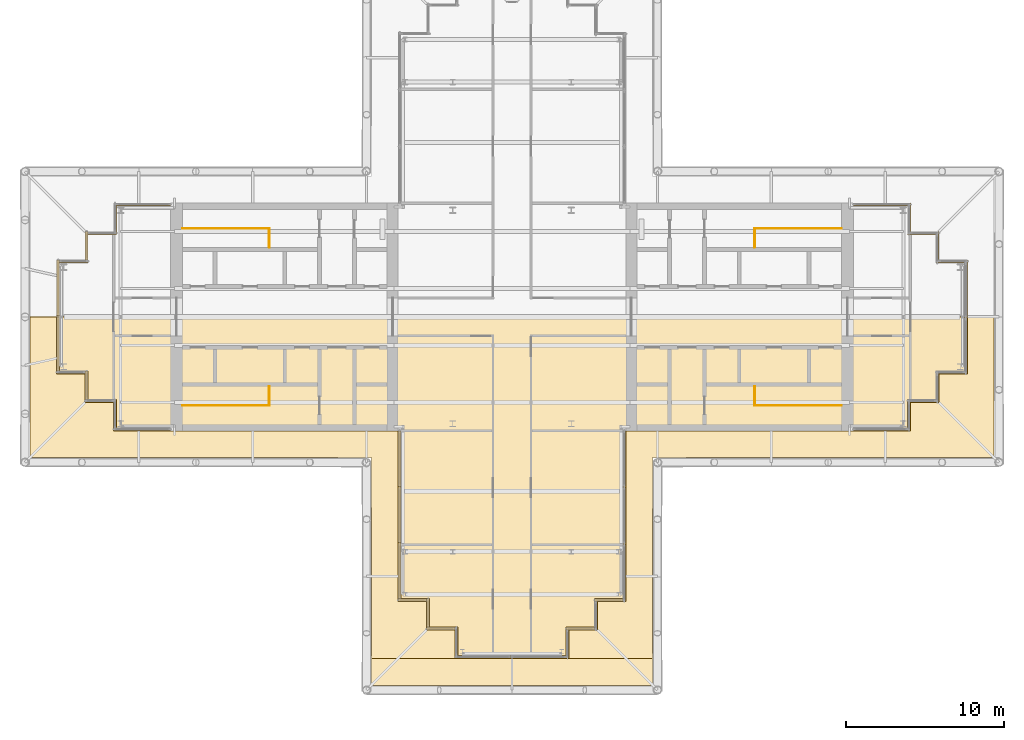
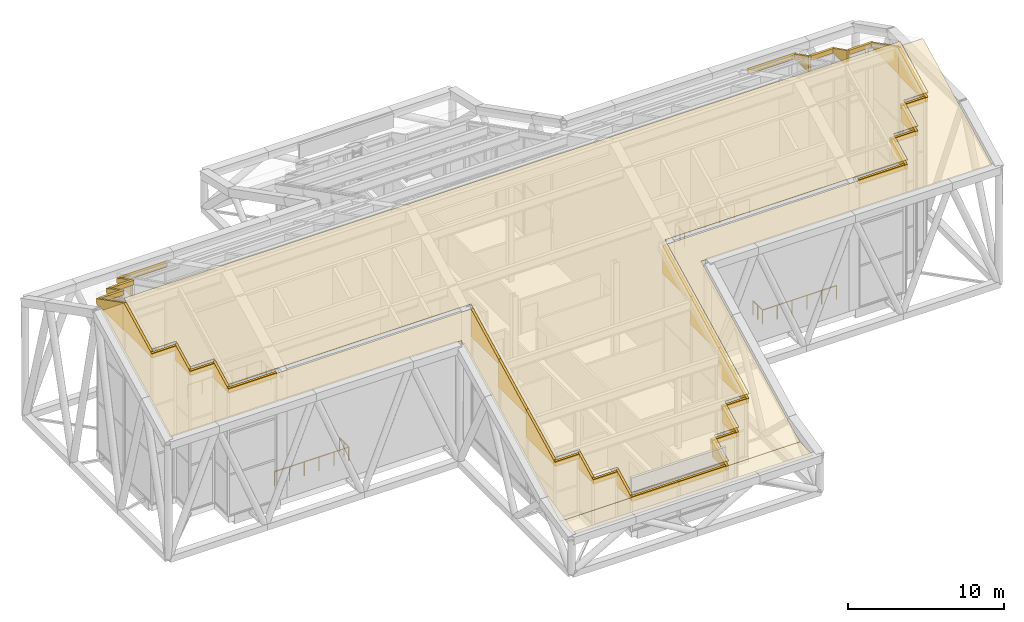
# One storey, part 24 of 25: 44 coverings, 4 railings.
"""IFC4 building model written with IfcOpenShell, lengths in metres."""

from ifc_helpers import new_model, si_unit, direction, frame, frame_2d, origin, origin_2d, place, context, subcontext, project, spatial, polyline, rectangle, circle, outline, extrude, material, layer, layer_set, type_object, element, save


model = new_model("IFC4")

# Units and contexts
model_context = context("Model", 3, precision=1e-05, world=origin(), true_north=direction((0.0, 1.0)))
body_context = subcontext(model_context, "Body", "Model", "MODEL_VIEW")
ifc_project = project(units=[si_unit("LENGTHUNIT", "METRE"), si_unit("AREAUNIT", "SQUARE_METRE"), si_unit("VOLUMEUNIT", "CUBIC_METRE"), si_unit("PLANEANGLEUNIT", "RADIAN"), si_unit("MASSUNIT", "GRAM", prefix="KILO")], contexts=[model_context])

# Site, building, storey
site_placement = place(None, origin())
site = spatial("IfcSite", under=ifc_project, at=site_placement, CompositionType="ELEMENT")
building_placement = place(site_placement, origin())
building = spatial("IfcBuilding", under=site, at=building_placement, Name="Fustian Cross Tower", CompositionType="ELEMENT")
storey_placement = place(building_placement, frame((0.0, 0.0, 247.5)))
storey = spatial("IfcBuildingStorey", under=building, at=storey_placement, Name="L77", CompositionType="ELEMENT", Elevation=247.5)

# Coverings
ifc_material_1 = material(Name="Dark metal cladding on steel framing", Category="steel")
ifc_layer_1 = layer(ifc_material_1, 0.179931640625)
ifc_layer_set_1 = layer_set([ifc_layer_1], Name="Dark metal cladding on steel framing")
covering_type_1 = type_object("IfcCoveringType", Name="CROWN CLADDING PANEL 180", PredefinedType="CLADDING", material=ifc_layer_set_1)
covering_1_placement = place(storey_placement, frame((21.60009765625, -7.110107421875, 9.729248046875), z_axis=(0.0, 0.0, 1.0), x_axis=(1.0, 0.0, 0.0)))
element("IfcCovering", 1, at=covering_1_placement, inside=storey, type_object=covering_type_1, Name="Crown cladding 1", PredefinedType="CLADDING", context=body_context, shape_type="SweptSolid", body=[
    extrude(rectangle(XDim=3.419921875, YDim=0.179931640625, at=frame_2d((1.7099609375, 0.0))), origin(), (0.0, 0.0, 1.0), 0.349853515625),
])
covering_2_placement = place(storey_placement, frame((25.110107421875, -7.199951171875, 9.683349609375), z_axis=(0.0, 0.0, 1.0), x_axis=(0.0, 1.0, 0.0)))
element("IfcCovering", 2, at=covering_2_placement, inside=storey, type_object=covering_type_1, Name="Crown cladding 2", PredefinedType="CLADDING", context=body_context, shape_type="SweptSolid", body=[
    extrude(outline(polyline([(0.0, 0.0), (1.800048828125, 0.0), (1.800048828125, 1.2666015625), (0.0, 0.35009765625), (0.0, 0.0)])), frame((0.0, 0.08984375, 0.0), z_axis=(0.0, -1.0, 0.0), x_axis=(1.0, 0.0, 0.0)), (0.0, 0.0, 1.0), 0.179931640625),
])
covering_3_placement = place(storey_placement, frame((25.02001953125, -5.31005859375, 10.645751953125), z_axis=(0.0, 0.0, 1.0), x_axis=(1.0, 0.0, 0.0)))
element("IfcCovering", 3, at=covering_3_placement, inside=storey, type_object=covering_type_1, Name="Crown cladding 3", PredefinedType="CLADDING", context=body_context, shape_type="SweptSolid", body=[
    extrude(rectangle(XDim=1.800048828125, YDim=0.179931640625, at=frame_2d((0.89990234375, 0.0))), origin(), (0.0, 0.0, 1.0), 0.35009765625),
])
covering_4_placement = place(storey_placement, frame((26.909912109375, -5.39990234375, 10.60009765625), z_axis=(0.0, 0.0, 1.0), x_axis=(0.0, 1.0, 0.0)))
element("IfcCovering", 4, at=covering_4_placement, inside=storey, type_object=covering_type_1, Name="Crown cladding 4", PredefinedType="CLADDING", context=body_context, shape_type="SweptSolid", body=[
    extrude(outline(polyline([(0.0, 0.0), (1.7998046875, 0.0), (1.800048828125, 1.2666015625), (0.0, 0.349853515625), (0.0, 0.0)])), frame((0.0, 0.08984375, 0.0), z_axis=(0.0, -1.0, 0.0), x_axis=(1.0, 0.0, 0.0)), (0.0, 0.0, 1.0), 0.179931640625),
])
covering_5_placement = place(storey_placement, frame((26.820068359375, -3.510009765625, 11.5625), z_axis=(0.0, 0.0, 1.0), x_axis=(1.0, 0.0, 0.0)))
element("IfcCovering", 5, at=covering_5_placement, inside=storey, type_object=covering_type_1, Name="Crown cladding 5", PredefinedType="CLADDING", context=body_context, shape_type="SweptSolid", body=[
    extrude(rectangle(XDim=1.800048828125, YDim=0.179931640625, at=frame_2d((0.89990234375, 0.0))), origin(), (0.0, 0.0, 1.0), 0.35009765625),
])
covering_6_placement = place(storey_placement, frame((28.7099609375, -3.60009765625, 11.5166015625), z_axis=(0.0, 0.0, 1.0), x_axis=(0.0, 1.0, 0.0)))
element("IfcCovering", 6, at=covering_6_placement, inside=storey, type_object=covering_type_1, Name="Crown cladding 6", PredefinedType="CLADDING", context=body_context, shape_type="SweptSolid", body=[
    extrude(outline(polyline([(0.0, 0.0), (3.510009765625, 0.0), (3.510009765625, 2.137451171875), (0.0, 0.35009765625), (0.0, 0.0)])), frame((0.0, 0.08984375, 0.0), z_axis=(0.0, -1.0, 0.0), x_axis=(1.0, 0.0, 0.0)), (0.0, 0.0, 1.0), 0.179931640625),
])
covering_7_placement = place(storey_placement, frame((28.7099609375, -0.090087890625, 11.6083984375), z_axis=(0.0, 0.0, 1.0), x_axis=(0.0, 1.0, 0.0)))
element("IfcCovering", 7, at=covering_7_placement, inside=storey, type_object=covering_type_1, Name="Crown cladding 7", PredefinedType="CLADDING", context=body_context, shape_type="SweptSolid", body=[
    extrude(outline(polyline([(0.0, 0.0), (3.510009765625, 0.0), (3.510009765625, 0.349853515625), (0.090087890625, 2.091552734375), (0.0, 2.045654296875), (0.0, 0.0)])), frame((0.0, 0.08984375, 0.0), z_axis=(0.0, -1.0, 0.0), x_axis=(1.0, 0.0, 0.0)), (0.0, 0.0, 1.0), 0.179931640625),
])
covering_8_placement = place(storey_placement, frame((28.800048828125, 3.510009765625, 11.5625), z_axis=(0.0, 0.0, 1.0), x_axis=(-1.0, 0.0, 0.0)))
element("IfcCovering", 8, at=covering_8_placement, inside=storey, type_object=covering_type_1, Name="Crown cladding 8", PredefinedType="CLADDING", context=body_context, shape_type="SweptSolid", body=[
    extrude(rectangle(XDim=1.800048828125, YDim=0.179931640625, at=frame_2d((0.89990234375, 0.0))), origin(), (0.0, 0.0, 1.0), 0.35009765625),
])
covering_9_placement = place(storey_placement, frame((26.909912109375, 3.419921875, 10.691650390625), z_axis=(0.0, 0.0, 1.0), x_axis=(0.0, 1.0, 0.0)))
element("IfcCovering", 9, at=covering_9_placement, inside=storey, type_object=covering_type_1, Name="Crown cladding 9", PredefinedType="CLADDING", context=body_context, shape_type="SweptSolid", body=[
    extrude(outline(polyline([(0.0, 0.0), (1.800048828125, 0.0), (1.800048828125, 0.35009765625), (0.0, 1.2666015625), (0.0, 0.0)])), frame((0.0, 0.08984375, 0.0), z_axis=(0.0, -1.0, 0.0), x_axis=(1.0, 0.0, 0.0)), (0.0, 0.0, 1.0), 0.179931640625),
])
covering_10_placement = place(storey_placement, frame((27.0, 5.31005859375, 10.645751953125), z_axis=(0.0, 0.0, 1.0), x_axis=(-1.0, 0.0, 0.0)))
element("IfcCovering", 10, at=covering_10_placement, inside=storey, type_object=covering_type_1, Name="Crown cladding 10", PredefinedType="CLADDING", context=body_context, shape_type="SweptSolid", body=[
    extrude(rectangle(XDim=1.800048828125, YDim=0.179931640625, at=frame_2d((0.89990234375, 0.0))), origin(), (0.0, 0.0, 1.0), 0.35009765625),
])
covering_11_placement = place(storey_placement, frame((25.110107421875, 5.219970703125, 9.77490234375), z_axis=(0.0, 0.0, 1.0), x_axis=(0.0, 1.0, 0.0)))
element("IfcCovering", 11, at=covering_11_placement, inside=storey, type_object=covering_type_1, Name="Crown cladding 11", PredefinedType="CLADDING", context=body_context, shape_type="SweptSolid", body=[
    extrude(outline(polyline([(0.0, 0.0), (1.800048828125, 0.0), (1.800048828125, 0.35009765625), (0.0, 1.266845703125), (0.0, 0.0)])), frame((0.0, 0.08984375, 0.0), z_axis=(0.0, -1.0, 0.0), x_axis=(1.0, 0.0, 0.0)), (0.0, 0.0, 1.0), 0.179931640625),
])
covering_12_placement = place(storey_placement, frame((25.199951171875, 7.110107421875, 9.729248046875), z_axis=(0.0, 0.0, 1.0), x_axis=(-1.0, 0.0, 0.0)))
element("IfcCovering", 12, at=covering_12_placement, inside=storey, type_object=covering_type_1, Name="Crown cladding 12", PredefinedType="CLADDING", context=body_context, shape_type="SweptSolid", body=[
    extrude(rectangle(XDim=3.599853515625, YDim=0.179931640625, at=frame_2d((1.7998046875, 0.0))), origin(), (0.0, 0.0, 1.0), 0.349853515625),
])
covering_13_placement = place(storey_placement, frame((-21.60009765625, 7.110107421875, 9.729248046875), z_axis=(0.0, 0.0, 1.0), x_axis=(-1.0, 0.0, 0.0)))
element("IfcCovering", 13, at=covering_13_placement, inside=storey, type_object=covering_type_1, Name="Crown cladding 29", PredefinedType="CLADDING", context=body_context, shape_type="SweptSolid", body=[
    extrude(rectangle(XDim=3.419921875, YDim=0.179931640625, at=frame_2d((1.7099609375, 0.0))), origin(), (0.0, 0.0, 1.0), 0.349853515625),
])
covering_14_placement = place(storey_placement, frame((-25.110107421875, 7.199951171875, 9.683349609375), z_axis=(0.0, 0.0, 1.0), x_axis=(0.0, -1.0, 0.0)))
element("IfcCovering", 14, at=covering_14_placement, inside=storey, type_object=covering_type_1, Name="Crown cladding 30", PredefinedType="CLADDING", context=body_context, shape_type="SweptSolid", body=[
    extrude(outline(polyline([(0.0, 0.0), (1.800048828125, 0.0), (1.800048828125, 1.2666015625), (0.0, 0.35009765625), (0.0, 0.0)])), frame((0.0, 0.08984375, 0.0), z_axis=(0.0, -1.0, 0.0), x_axis=(1.0, 0.0, 0.0)), (0.0, 0.0, 1.0), 0.179931640625),
])
covering_15_placement = place(storey_placement, frame((-25.02001953125, 5.31005859375, 10.645751953125), z_axis=(0.0, 0.0, 1.0), x_axis=(-1.0, 0.0, 0.0)))
element("IfcCovering", 15, at=covering_15_placement, inside=storey, type_object=covering_type_1, Name="Crown cladding 31", PredefinedType="CLADDING", context=body_context, shape_type="SweptSolid", body=[
    extrude(rectangle(XDim=1.800048828125, YDim=0.179931640625, at=frame_2d((0.89990234375, 0.0))), origin(), (0.0, 0.0, 1.0), 0.35009765625),
])
covering_16_placement = place(storey_placement, frame((-26.909912109375, 5.39990234375, 10.60009765625), z_axis=(0.0, 0.0, 1.0), x_axis=(0.0, -1.0, 0.0)))
element("IfcCovering", 16, at=covering_16_placement, inside=storey, type_object=covering_type_1, Name="Crown cladding 32", PredefinedType="CLADDING", context=body_context, shape_type="SweptSolid", body=[
    extrude(outline(polyline([(0.0, 0.0), (1.7998046875, 0.0), (1.800048828125, 1.2666015625), (0.0, 0.349853515625), (0.0, 0.0)])), frame((0.0, 0.08984375, 0.0), z_axis=(0.0, -1.0, 0.0), x_axis=(1.0, 0.0, 0.0)), (0.0, 0.0, 1.0), 0.179931640625),
])
covering_17_placement = place(storey_placement, frame((-26.820068359375, 3.510009765625, 11.5625), z_axis=(0.0, 0.0, 1.0), x_axis=(-1.0, 0.0, 0.0)))
element("IfcCovering", 17, at=covering_17_placement, inside=storey, type_object=covering_type_1, Name="Crown cladding 33", PredefinedType="CLADDING", context=body_context, shape_type="SweptSolid", body=[
    extrude(rectangle(XDim=1.800048828125, YDim=0.179931640625, at=frame_2d((0.89990234375, 0.0))), origin(), (0.0, 0.0, 1.0), 0.35009765625),
])
covering_18_placement = place(storey_placement, frame((-28.7099609375, 3.60009765625, 11.5166015625), z_axis=(0.0, 0.0, 1.0), x_axis=(0.0, -1.0, 0.0)))
element("IfcCovering", 18, at=covering_18_placement, inside=storey, type_object=covering_type_1, Name="Crown cladding 34", PredefinedType="CLADDING", context=body_context, shape_type="SweptSolid", body=[
    extrude(outline(polyline([(0.0, 0.0), (3.510009765625, 0.0), (3.510009765625, 2.137451171875), (0.0, 0.35009765625), (0.0, 0.0)])), frame((0.0, 0.08984375, 0.0), z_axis=(0.0, -1.0, 0.0), x_axis=(1.0, 0.0, 0.0)), (0.0, 0.0, 1.0), 0.179931640625),
])
covering_19_placement = place(storey_placement, frame((-28.7099609375, 0.090087890625, 11.6083984375), z_axis=(0.0, 0.0, 1.0), x_axis=(0.0, -1.0, 0.0)))
element("IfcCovering", 19, at=covering_19_placement, inside=storey, type_object=covering_type_1, Name="Crown cladding 35", PredefinedType="CLADDING", context=body_context, shape_type="SweptSolid", body=[
    extrude(outline(polyline([(0.0, 0.0), (3.510009765625, 0.0), (3.510009765625, 0.349853515625), (0.090087890625, 2.091552734375), (0.0, 2.045654296875), (0.0, 0.0)])), frame((0.0, 0.08984375, 0.0), z_axis=(0.0, -1.0, 0.0), x_axis=(1.0, 0.0, 0.0)), (0.0, 0.0, 1.0), 0.179931640625),
])
covering_20_placement = place(storey_placement, frame((-28.800048828125, -3.510009765625, 11.5625), z_axis=(0.0, 0.0, 1.0), x_axis=(1.0, 0.0, 0.0)))
element("IfcCovering", 20, at=covering_20_placement, inside=storey, type_object=covering_type_1, Name="Crown cladding 36", PredefinedType="CLADDING", context=body_context, shape_type="SweptSolid", body=[
    extrude(rectangle(XDim=1.800048828125, YDim=0.179931640625, at=frame_2d((0.89990234375, 0.0))), origin(), (0.0, 0.0, 1.0), 0.35009765625),
])
covering_21_placement = place(storey_placement, frame((-26.909912109375, -3.419921875, 10.691650390625), z_axis=(0.0, 0.0, 1.0), x_axis=(0.0, -1.0, 0.0)))
element("IfcCovering", 21, at=covering_21_placement, inside=storey, type_object=covering_type_1, Name="Crown cladding 37", PredefinedType="CLADDING", context=body_context, shape_type="SweptSolid", body=[
    extrude(outline(polyline([(0.0, 0.0), (1.800048828125, 0.0), (1.800048828125, 0.35009765625), (0.0, 1.2666015625), (0.0, 0.0)])), frame((0.0, 0.08984375, 0.0), z_axis=(0.0, -1.0, 0.0), x_axis=(1.0, 0.0, 0.0)), (0.0, 0.0, 1.0), 0.179931640625),
])
covering_22_placement = place(storey_placement, frame((-27.0, -5.31005859375, 10.645751953125), z_axis=(0.0, 0.0, 1.0), x_axis=(1.0, 0.0, 0.0)))
element("IfcCovering", 22, at=covering_22_placement, inside=storey, type_object=covering_type_1, Name="Crown cladding 38", PredefinedType="CLADDING", context=body_context, shape_type="SweptSolid", body=[
    extrude(rectangle(XDim=1.800048828125, YDim=0.179931640625, at=frame_2d((0.89990234375, 0.0))), origin(), (0.0, 0.0, 1.0), 0.35009765625),
])
covering_23_placement = place(storey_placement, frame((-25.110107421875, -5.219970703125, 9.77490234375), z_axis=(0.0, 0.0, 1.0), x_axis=(0.0, -1.0, 0.0)))
element("IfcCovering", 23, at=covering_23_placement, inside=storey, type_object=covering_type_1, Name="Crown cladding 39", PredefinedType="CLADDING", context=body_context, shape_type="SweptSolid", body=[
    extrude(outline(polyline([(0.0, 0.0), (1.800048828125, 0.0), (1.800048828125, 0.35009765625), (0.0, 1.266845703125), (0.0, 0.0)])), frame((0.0, 0.08984375, 0.0), z_axis=(0.0, -1.0, 0.0), x_axis=(1.0, 0.0, 0.0)), (0.0, 0.0, 1.0), 0.179931640625),
])
covering_24_placement = place(storey_placement, frame((-25.199951171875, -7.110107421875, 9.729248046875), z_axis=(0.0, 0.0, 1.0), x_axis=(1.0, 0.0, 0.0)))
element("IfcCovering", 24, at=covering_24_placement, inside=storey, type_object=covering_type_1, Name="Crown cladding 40", PredefinedType="CLADDING", context=body_context, shape_type="SweptSolid", body=[
    extrude(rectangle(XDim=3.599853515625, YDim=0.179931640625, at=frame_2d((1.7998046875, 0.0))), origin(), (0.0, 0.0, 1.0), 0.349853515625),
])
covering_25_placement = place(storey_placement, frame((-7.110107421875, -7.199951171875, 7.880615234375), z_axis=(0.0, 0.0, 1.0), x_axis=(0.0, -1.0, 0.0)))
element("IfcCovering", 25, at=covering_25_placement, inside=storey, type_object=covering_type_1, Name="Crown cladding 41", PredefinedType="CLADDING", context=body_context, shape_type="SweptSolid", body=[
    extrude(outline(polyline([(0.0, 0.0), (3.5400390625, 0.0), (3.5400390625, 0.349853515625), (0.0, 2.15283203125), (0.0, 0.0)])), frame((0.0, 0.08984375, 0.0), z_axis=(0.0, -1.0, 0.0), x_axis=(1.0, 0.0, 0.0)), (0.0, 0.0, 1.0), 0.179931640625),
])
covering_26_placement = place(storey_placement, frame((-7.110107421875, -10.739990234375, 6.077880859375), z_axis=(0.0, 0.0, 1.0), x_axis=(0.0, -1.0, 0.0)))
element("IfcCovering", 26, at=covering_26_placement, inside=storey, type_object=covering_type_1, Name="Crown cladding 42", PredefinedType="CLADDING", context=body_context, shape_type="SweptSolid", body=[
    extrude(outline(polyline([(0.0, 0.0), (3.5400390625, 0.0), (3.5400390625, 0.349853515625), (0.0, 2.152587890625), (0.0, 0.0)])), frame((0.0, 0.08984375, 0.0), z_axis=(0.0, -1.0, 0.0), x_axis=(1.0, 0.0, 0.0)), (0.0, 0.0, 1.0), 0.179931640625),
])
covering_27_placement = place(storey_placement, frame((-7.110107421875, -14.280029296875, 4.27490234375), z_axis=(0.0, 0.0, 1.0), x_axis=(0.0, -1.0, 0.0)))
element("IfcCovering", 27, at=covering_27_placement, inside=storey, type_object=covering_type_1, Name="Crown cladding 43", PredefinedType="CLADDING", context=body_context, shape_type="SweptSolid", body=[
    extrude(outline(polyline([(0.0, 0.0), (3.5400390625, 0.0), (3.5400390625, 0.35009765625), (0.0, 2.15283203125), (0.0, 0.0)])), frame((0.0, 0.08984375, 0.0), z_axis=(0.0, -1.0, 0.0), x_axis=(1.0, 0.0, 0.0)), (0.0, 0.0, 1.0), 0.179931640625),
])
covering_28_placement = place(storey_placement, frame((-7.199951171875, -17.909912109375, 4.229248046875), z_axis=(0.0, 0.0, 1.0), x_axis=(1.0, 0.0, 0.0)))
element("IfcCovering", 28, at=covering_28_placement, inside=storey, type_object=covering_type_1, Name="Crown cladding 44", PredefinedType="CLADDING", context=body_context, shape_type="SweptSolid", body=[
    extrude(rectangle(XDim=1.800048828125, YDim=0.179931640625, at=frame_2d((0.89990234375, 0.0))), origin(), (0.0, 0.0, 1.0), 0.349853515625),
])
covering_29_placement = place(storey_placement, frame((-5.31005859375, -17.820068359375, 3.3583984375), z_axis=(0.0, 0.0, 1.0), x_axis=(0.0, -1.0, 0.0)))
element("IfcCovering", 29, at=covering_29_placement, inside=storey, type_object=covering_type_1, Name="Crown cladding 45", PredefinedType="CLADDING", context=body_context, shape_type="SweptSolid", body=[
    extrude(outline(polyline([(0.0, 0.0), (1.800048828125, 0.0), (1.800048828125, 0.349853515625), (0.0, 1.2666015625), (0.0, 0.0)])), frame((0.0, 0.08984375, 0.0), z_axis=(0.0, -1.0, 0.0), x_axis=(1.0, 0.0, 0.0)), (0.0, 0.0, 1.0), 0.179931640625),
])
covering_30_placement = place(storey_placement, frame((-5.39990234375, -19.7099609375, 3.3125), z_axis=(0.0, 0.0, 1.0), x_axis=(1.0, 0.0, 0.0)))
element("IfcCovering", 30, at=covering_30_placement, inside=storey, type_object=covering_type_1, Name="Crown cladding 46", PredefinedType="CLADDING", context=body_context, shape_type="SweptSolid", body=[
    extrude(rectangle(XDim=1.7998046875, YDim=0.179931640625, at=frame_2d((0.89990234375, 0.0))), origin(), (0.0, 0.0, 1.0), 0.35009765625),
])
covering_31_placement = place(storey_placement, frame((-3.510009765625, -19.6201171875, 2.441650390625), z_axis=(0.0, 0.0, 1.0), x_axis=(0.0, -1.0, 0.0)))
element("IfcCovering", 31, at=covering_31_placement, inside=storey, type_object=covering_type_1, Name="Crown cladding 47", PredefinedType="CLADDING", context=body_context, shape_type="SweptSolid", body=[
    extrude(outline(polyline([(0.0, 0.0), (1.7998046875, 0.0), (1.800048828125, 0.35009765625), (0.0, 1.2666015625), (0.0, 0.0)])), frame((0.0, 0.08984375, 0.0), z_axis=(0.0, -1.0, 0.0), x_axis=(1.0, 0.0, 0.0)), (0.0, 0.0, 1.0), 0.179931640625),
])
for number, where, z_axis, x_axis, name in (
    (32, (-3.60009765625, -21.510009765625, 2.395751953125), (0.0, 0.0, 1.0), (1.0, 0.0, 0.0), "Crown cladding 48"),
    (33, (-0.090087890625, -21.510009765625, 2.395751953125), (0.0, 0.0, 1.0), (1.0, 0.0, 0.0), "Crown cladding 49"),
):
    element("IfcCovering", number, at=place(storey_placement, frame(where, z_axis=z_axis, x_axis=x_axis)), inside=storey, type_object=covering_type_1, Name=name, PredefinedType="CLADDING", context=body_context, shape_type="SweptSolid", body=[
        extrude(rectangle(XDim=3.510009765625, YDim=0.179931640625, at=frame_2d((1.7548828125, 0.0))), origin(), (0.0, 0.0, 1.0), 0.35009765625),
    ])
covering_32_placement = place(storey_placement, frame((3.510009765625, -21.60009765625, 2.35009765625), z_axis=(0.0, 0.0, 1.0), x_axis=(0.0, 1.0, 0.0)))
element("IfcCovering", 34, at=covering_32_placement, inside=storey, type_object=covering_type_1, Name="Crown cladding 50", PredefinedType="CLADDING", context=body_context, shape_type="SweptSolid", body=[
    extrude(outline(polyline([(0.0, 0.0), (1.800048828125, 0.0), (1.800048828125, 1.2666015625), (0.0, 0.349853515625), (0.0, 0.0)])), frame((0.0, 0.08984375, 0.0), z_axis=(0.0, -1.0, 0.0), x_axis=(1.0, 0.0, 0.0)), (0.0, 0.0, 1.0), 0.179931640625),
])
covering_33_placement = place(storey_placement, frame((3.419921875, -19.7099609375, 3.3125), z_axis=(0.0, 0.0, 1.0), x_axis=(1.0, 0.0, 0.0)))
element("IfcCovering", 35, at=covering_33_placement, inside=storey, type_object=covering_type_1, Name="Crown cladding 51", PredefinedType="CLADDING", context=body_context, shape_type="SweptSolid", body=[
    extrude(rectangle(XDim=1.800048828125, YDim=0.179931640625, at=frame_2d((0.89990234375, 0.0))), origin(), (0.0, 0.0, 1.0), 0.35009765625),
])
covering_34_placement = place(storey_placement, frame((5.31005859375, -19.800048828125, 3.2666015625), z_axis=(0.0, 0.0, 1.0), x_axis=(0.0, 1.0, 0.0)))
element("IfcCovering", 36, at=covering_34_placement, inside=storey, type_object=covering_type_1, Name="Crown cladding 52", PredefinedType="CLADDING", context=body_context, shape_type="SweptSolid", body=[
    extrude(outline(polyline([(0.0, 0.0), (1.800048828125, 0.0), (1.800048828125, 1.266845703125), (0.0, 0.35009765625), (0.0, 0.0)])), frame((0.0, 0.08984375, 0.0), z_axis=(0.0, -1.0, 0.0), x_axis=(1.0, 0.0, 0.0)), (0.0, 0.0, 1.0), 0.179931640625),
])
covering_35_placement = place(storey_placement, frame((5.219970703125, -17.909912109375, 4.229248046875), z_axis=(0.0, 0.0, 1.0), x_axis=(1.0, 0.0, 0.0)))
element("IfcCovering", 37, at=covering_35_placement, inside=storey, type_object=covering_type_1, Name="Crown cladding 53", PredefinedType="CLADDING", context=body_context, shape_type="SweptSolid", body=[
    extrude(rectangle(XDim=1.800048828125, YDim=0.179931640625, at=frame_2d((0.89990234375, 0.0))), origin(), (0.0, 0.0, 1.0), 0.349853515625),
])
covering_36_placement = place(storey_placement, frame((7.110107421875, -18.0, 4.183349609375), z_axis=(0.0, 0.0, 1.0), x_axis=(0.0, 1.0, 0.0)))
element("IfcCovering", 38, at=covering_36_placement, inside=storey, type_object=covering_type_1, Name="Crown cladding 54", PredefinedType="CLADDING", context=body_context, shape_type="SweptSolid", body=[
    extrude(outline(polyline([(0.0, 0.0), (3.60009765625, 0.0), (3.60009765625, 2.183349609375), (0.0, 0.35009765625), (0.0, 0.0)])), frame((0.0, 0.08984375, 0.0), z_axis=(0.0, -1.0, 0.0), x_axis=(1.0, 0.0, 0.0)), (0.0, 0.0, 1.0), 0.179931640625),
])
covering_37_placement = place(storey_placement, frame((7.110107421875, -14.39990234375, 6.0166015625), z_axis=(0.0, 0.0, 1.0), x_axis=(0.0, 1.0, 0.0)))
element("IfcCovering", 39, at=covering_37_placement, inside=storey, type_object=covering_type_1, Name="Crown cladding 55", PredefinedType="CLADDING", context=body_context, shape_type="SweptSolid", body=[
    extrude(outline(polyline([(0.0, 0.0), (3.599853515625, 0.0), (3.60009765625, 2.183349609375), (0.0, 0.35009765625), (0.0, 0.0)])), frame((0.0, 0.08984375, 0.0), z_axis=(0.0, -1.0, 0.0), x_axis=(1.0, 0.0, 0.0)), (0.0, 0.0, 1.0), 0.179931640625),
])
covering_38_placement = place(storey_placement, frame((7.110107421875, -10.800048828125, 7.85009765625), z_axis=(0.0, 0.0, 1.0), x_axis=(0.0, 1.0, 0.0)))
element("IfcCovering", 40, at=covering_38_placement, inside=storey, type_object=covering_type_1, Name="Crown cladding 56", PredefinedType="CLADDING", context=body_context, shape_type="SweptSolid", body=[
    extrude(outline(polyline([(0.0, 0.0), (3.60009765625, 0.0), (3.60009765625, 2.183349609375), (0.0, 0.349853515625), (0.0, 0.0)])), frame((0.0, 0.08984375, 0.0), z_axis=(0.0, -1.0, 0.0), x_axis=(1.0, 0.0, 0.0)), (0.0, 0.0, 1.0), 0.179931640625),
])
ifc_material_2 = material(Name="Steel S355", Category="steel")
ifc_layer_2 = layer(ifc_material_2, 0.06005859375)
ifc_layer_set_2 = layer_set([ifc_layer_2], Name="Steel S355")
covering_type_2 = type_object("IfcCoveringType", Name="CROWN MAINTENANCE GRATING 60", PredefinedType="FLOORING", material=ifc_layer_set_2)
covering_39_placement = place(storey_placement, frame((3.60009765625, -21.60009765625, 2.699951171875), z_axis=(0.0, 0.0, 1.0), x_axis=(-1.0, 0.0, 0.0)))
element("IfcCovering", 41, at=covering_39_placement, inside=storey, type_object=covering_type_2, Name="Crown maintenance grating 1", PredefinedType="FLOORING", context=body_context, shape_type="SweptSolid", body=[
    extrude(outline(polyline([(0.0, 0.0), (7.2001953125, 0.0), (12.5, 0.0), (12.5, 1.699951171875), (-5.2998046875, 1.699951171875), (-5.2998046875, 0.0), (0.0, 0.0)])), origin(), (0.0, 0.0, -1.0), 0.06005859375),
])
covering_40_placement = place(storey_placement, frame((-3.60009765625, -19.800048828125, 3.61669921875), z_axis=(-3.1655966e-05, -0.453842480993, 0.891081927459), x_axis=(-0.999999999499, 1.4366822e-05, -2.8208059e-05)))
element("IfcCovering", 42, at=covering_40_placement, inside=storey, type_object=covering_type_2, Name="Crown maintenance grating 2", PredefinedType="FLOORING", context=body_context, shape_type="SweptSolid", body=[
    extrude(outline(polyline([(0.0, 0.0), (1.7998046865982078, 0.0), (1.7998046878964018, -2.020050188337294), (3.5998535151194875, -2.020050188337294), (3.599853533174593, -14.139912166288221), (18.000000010334396, -14.139912166288221), (21.59985352415569, -14.139912166288221), (21.59985353234062, -16.1598515532385), (23.399902359563704, -16.1598515532385), (23.39990235735437, -18.179684192276987), (25.199951184577458, -18.179684192276987), (25.19995119406058, -22.21967376756456), (26.89990236508382, -22.21967376756456), (26.899902353971623, -12.23210387896047), (5.2998047085443565, -12.23210387896047), (5.299804683546339, 2.020050188337294), (-1.2981940835059128e-09, 2.020050188337294), (0.0, 0.0)])), origin(), (0.0, 0.0, -1.0), 0.06005859375),
])
covering_41_placement = place(storey_placement, frame((28.800048828125, -3.60009765625, 11.86669921875), z_axis=(3.1655966e-05, -0.453842480993, 0.891081927459), x_axis=(-0.999999999499, -1.4366822e-05, 2.8208059e-05)))
element("IfcCovering", 43, at=covering_41_placement, inside=storey, type_object=covering_type_2, Name="Crown maintenance grating 3", PredefinedType="FLOORING", context=body_context, shape_type="SweptSolid", body=[
    extrude(outline(polyline([(0.0, 0.0), (1.8000488272230855, 0.0), (1.8000488250137545, 2.0198326390384893), (3.6000976522368404, 2.0198326390384893), (3.6000976604217674, 4.039772025988767), (7.19995117424306, 4.039772025988767), (21.600097651402866, 4.039772025988767), (21.600097669457973, 16.159634003939694), (23.40014649668106, 16.159634003939694), (23.40014649797925, 18.179684192276987), (25.199951184577458, 18.179684192276987), (25.19995118587565, 20.19973438061428), (19.900146501031116, 20.19973438061428), (19.9001464760331, 5.94758031331652), (-1.6999511693941673, 5.94758031331652), (-1.6999511805063607, -4.039989575287572), (-9.483121326126897e-09, -4.039989575287572), (0.0, 0.0)])), origin(), (0.0, 0.0, -1.0), 0.06005859375),
])
ifc_material_3 = material(Name="Dark standing-seam zinc roofing")
ifc_layer_3 = layer(ifc_material_3, 0.0400390625)
ifc_layer_set_3 = layer_set([ifc_layer_3], Name="Dark standing-seam zinc roofing")
covering_type_3 = type_object("IfcCoveringType", Name="CROWN ROOFING STANDING SEAM 40", PredefinedType="ROOFING", material=ifc_layer_set_3)
covering_42_placement = place(storey_placement, frame((28.800048828125, -3.60009765625, 12.248291015625), z_axis=(0.0, -0.453805918275, 0.891100549062), x_axis=(0.0, 0.891100549062, 0.453805918275)))
element("IfcCovering", 44, at=covering_42_placement, inside=storey, type_object=covering_type_3, Name="Crown roofing south", PredefinedType="ROOFING", context=body_context, shape_type="SweptSolid", body=[
    extrude(outline(polyline([(0.0, 0.0), (4.039989584178494, 0.0), (4.039989584178494, 57.60009765625), (0.0, 57.60009765625), (0.0, 55.800048828125), (-2.0198326344745197, 55.800048828125), (-2.0198326344745197, 54.0), (-4.039882822794025, 54.0), (-4.039882822794025, 50.400146484375), (-4.039882822794025, 36.0), (-16.15974481394504, 36.0), (-16.15974481394504, 34.199951171875), (-18.179684209804027, 34.199951171875), (-18.179684209804027, 32.400146484375), (-20.19973439812353, 32.400146484375), (-20.19973439812353, 25.199951171875), (-18.179684209804027, 25.199951171875), (-18.179684209804027, 23.400146484375), (-16.15974481394504, 23.400146484375), (-16.15974481394504, 21.60009765625), (-4.039882822794025, 21.60009765625), (-4.039882822794025, 7.199951171875), (-4.039882822794025, 3.60009765625), (-2.0198326344745197, 3.60009765625), (-2.0198326344745197, 1.800048828125), (0.0, 1.800048828125), (0.0, 0.0)])), origin(), (0.0, 0.0, -1.0), 0.0400390625),
])

# Railings
ifc_material_4 = material(Name="Stainless steel", Category="steel")
railing_type = type_object("IfcRailingType", Name="STAIR GUARD", PredefinedType="GUARDRAIL", material=ifc_material_4)
railing_1_placement = place(storey_placement, frame((15.35009765625, 4.39990234375, 0.0)))
element("IfcRailing", 45, at=railing_1_placement, inside=storey, type_object=railing_type, Name="Stair ST1 guard", PredefinedType="GUARDRAIL", context=body_context, shape_type="SweptSolid", body=[
    extrude(circle(Radius=0.02490234375, at=origin_2d()), frame((0.0, 0.0, 1.0751953125), z_axis=(0.0, 1.0, 0.0), x_axis=(-1.0, 0.0, 0.0)), (0.0, 0.0, 1.0), 1.2001953125),
    extrude(circle(Radius=0.02490234375, at=origin_2d()), frame((0.0, 1.2001953125, 1.0751953125), z_axis=(1.0, 0.0, 0.0), x_axis=(0.0, 1.0, 0.0)), (0.0, 0.0, 1.0), 5.5),
    extrude(circle(Radius=0.02001953125, at=origin_2d()), origin(), (0.0, 0.0, 1.0), 1.050048828125),
    extrude(circle(Radius=0.02001953125, at=origin_2d()), frame((0.0, 0.60009765625, 0.0)), (0.0, 0.0, 1.0), 1.050048828125),
    extrude(circle(Radius=0.02001953125, at=origin_2d()), frame((0.0, 1.2001953125, 0.0)), (0.0, 0.0, 1.0), 1.050048828125),
    extrude(circle(Radius=0.02001953125, at=origin_2d()), frame((1.10009765625, 1.2001953125, 0.0)), (0.0, 0.0, 1.0), 1.050048828125),
    extrude(circle(Radius=0.02001953125, at=origin_2d()), frame((2.199951171875, 1.2001953125, 0.0)), (0.0, 0.0, 1.0), 1.050048828125),
    extrude(circle(Radius=0.02001953125, at=origin_2d()), frame((3.300048828125, 1.2001953125, 0.0)), (0.0, 0.0, 1.0), 1.050048828125),
    extrude(circle(Radius=0.02001953125, at=origin_2d()), frame((4.39990234375, 1.2001953125, 0.0)), (0.0, 0.0, 1.0), 1.050048828125),
    extrude(circle(Radius=0.02001953125, at=origin_2d()), frame((5.5, 1.2001953125, 0.0)), (0.0, 0.0, 1.0), 1.050048828125),
])
railing_2_placement = place(storey_placement, frame((15.35009765625, -4.39990234375, 0.0)))
element("IfcRailing", 46, at=railing_2_placement, inside=storey, type_object=railing_type, Name="Stair ST2 guard", PredefinedType="GUARDRAIL", context=body_context, shape_type="SweptSolid", body=[
    extrude(circle(Radius=0.02490234375, at=origin_2d()), frame((0.0, 0.0, 1.0751953125), z_axis=(0.0, -1.0, 0.0), x_axis=(1.0, 0.0, 0.0)), (0.0, 0.0, 1.0), 1.2001953125),
    extrude(circle(Radius=0.02490234375, at=origin_2d()), frame((0.0, -1.2001953125, 1.0751953125), z_axis=(1.0, 0.0, 0.0), x_axis=(0.0, 1.0, 0.0)), (0.0, 0.0, 1.0), 5.5),
    extrude(circle(Radius=0.02001953125, at=origin_2d()), origin(), (0.0, 0.0, 1.0), 1.050048828125),
    extrude(circle(Radius=0.02001953125, at=origin_2d()), frame((0.0, -0.60009765625, 0.0)), (0.0, 0.0, 1.0), 1.050048828125),
    extrude(circle(Radius=0.02001953125, at=origin_2d()), frame((0.0, -1.2001953125, 0.0)), (0.0, 0.0, 1.0), 1.050048828125),
    extrude(circle(Radius=0.02001953125, at=origin_2d()), frame((1.10009765625, -1.2001953125, 0.0)), (0.0, 0.0, 1.0), 1.050048828125),
    extrude(circle(Radius=0.02001953125, at=origin_2d()), frame((2.199951171875, -1.2001953125, 0.0)), (0.0, 0.0, 1.0), 1.050048828125),
    extrude(circle(Radius=0.02001953125, at=origin_2d()), frame((3.300048828125, -1.2001953125, 0.0)), (0.0, 0.0, 1.0), 1.050048828125),
    extrude(circle(Radius=0.02001953125, at=origin_2d()), frame((4.39990234375, -1.2001953125, 0.0)), (0.0, 0.0, 1.0), 1.050048828125),
    extrude(circle(Radius=0.02001953125, at=origin_2d()), frame((5.5, -1.2001953125, 0.0)), (0.0, 0.0, 1.0), 1.050048828125),
])
railing_3_placement = place(storey_placement, frame((-15.35009765625, 4.39990234375, 0.0)))
element("IfcRailing", 47, at=railing_3_placement, inside=storey, type_object=railing_type, Name="Stair ST3 guard", PredefinedType="GUARDRAIL", context=body_context, shape_type="SweptSolid", body=[
    extrude(circle(Radius=0.02490234375, at=origin_2d()), frame((0.0, 0.0, 1.0751953125), z_axis=(0.0, 1.0, 0.0), x_axis=(-1.0, 0.0, 0.0)), (0.0, 0.0, 1.0), 1.2001953125),
    extrude(circle(Radius=0.02490234375, at=origin_2d()), frame((0.0, 1.2001953125, 1.0751953125), z_axis=(-1.0, 0.0, 0.0), x_axis=(0.0, -1.0, 0.0)), (0.0, 0.0, 1.0), 5.5),
    extrude(circle(Radius=0.02001953125, at=origin_2d()), origin(), (0.0, 0.0, 1.0), 1.050048828125),
    extrude(circle(Radius=0.02001953125, at=origin_2d()), frame((0.0, 0.60009765625, 0.0)), (0.0, 0.0, 1.0), 1.050048828125),
    extrude(circle(Radius=0.02001953125, at=origin_2d()), frame((0.0, 1.2001953125, 0.0)), (0.0, 0.0, 1.0), 1.050048828125),
    extrude(circle(Radius=0.02001953125, at=origin_2d()), frame((-1.10009765625, 1.2001953125, 0.0)), (0.0, 0.0, 1.0), 1.050048828125),
    extrude(circle(Radius=0.02001953125, at=origin_2d()), frame((-2.199951171875, 1.2001953125, 0.0)), (0.0, 0.0, 1.0), 1.050048828125),
    extrude(circle(Radius=0.02001953125, at=origin_2d()), frame((-3.300048828125, 1.2001953125, 0.0)), (0.0, 0.0, 1.0), 1.050048828125),
    extrude(circle(Radius=0.02001953125, at=origin_2d()), frame((-4.39990234375, 1.2001953125, 0.0)), (0.0, 0.0, 1.0), 1.050048828125),
    extrude(circle(Radius=0.02001953125, at=origin_2d()), frame((-5.5, 1.2001953125, 0.0)), (0.0, 0.0, 1.0), 1.050048828125),
])
railing_4_placement = place(storey_placement, frame((-15.35009765625, -4.39990234375, 0.0)))
element("IfcRailing", 48, at=railing_4_placement, inside=storey, type_object=railing_type, Name="Stair ST4 guard", PredefinedType="GUARDRAIL", context=body_context, shape_type="SweptSolid", body=[
    extrude(circle(Radius=0.02490234375, at=origin_2d()), frame((0.0, 0.0, 1.0751953125), z_axis=(0.0, -1.0, 0.0), x_axis=(1.0, 0.0, 0.0)), (0.0, 0.0, 1.0), 1.2001953125),
    extrude(circle(Radius=0.02490234375, at=origin_2d()), frame((0.0, -1.2001953125, 1.0751953125), z_axis=(-1.0, 0.0, 0.0), x_axis=(0.0, -1.0, 0.0)), (0.0, 0.0, 1.0), 5.5),
    extrude(circle(Radius=0.02001953125, at=origin_2d()), origin(), (0.0, 0.0, 1.0), 1.050048828125),
    extrude(circle(Radius=0.02001953125, at=origin_2d()), frame((0.0, -0.60009765625, 0.0)), (0.0, 0.0, 1.0), 1.050048828125),
    extrude(circle(Radius=0.02001953125, at=origin_2d()), frame((0.0, -1.2001953125, 0.0)), (0.0, 0.0, 1.0), 1.050048828125),
    extrude(circle(Radius=0.02001953125, at=origin_2d()), frame((-1.10009765625, -1.2001953125, 0.0)), (0.0, 0.0, 1.0), 1.050048828125),
    extrude(circle(Radius=0.02001953125, at=origin_2d()), frame((-2.199951171875, -1.2001953125, 0.0)), (0.0, 0.0, 1.0), 1.050048828125),
    extrude(circle(Radius=0.02001953125, at=origin_2d()), frame((-3.300048828125, -1.2001953125, 0.0)), (0.0, 0.0, 1.0), 1.050048828125),
    extrude(circle(Radius=0.02001953125, at=origin_2d()), frame((-4.39990234375, -1.2001953125, 0.0)), (0.0, 0.0, 1.0), 1.050048828125),
    extrude(circle(Radius=0.02001953125, at=origin_2d()), frame((-5.5, -1.2001953125, 0.0)), (0.0, 0.0, 1.0), 1.050048828125),
])

save(model, "model.ifc")
